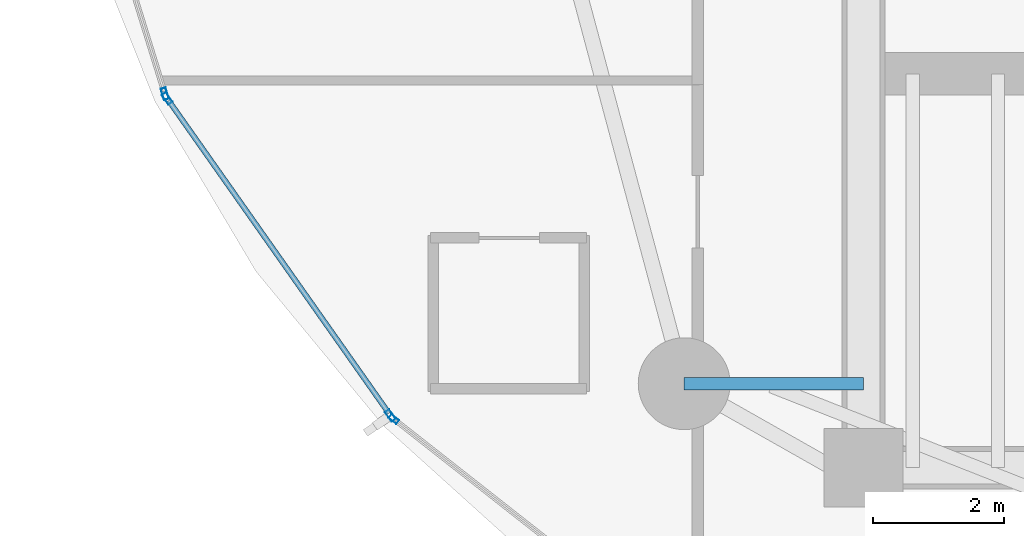
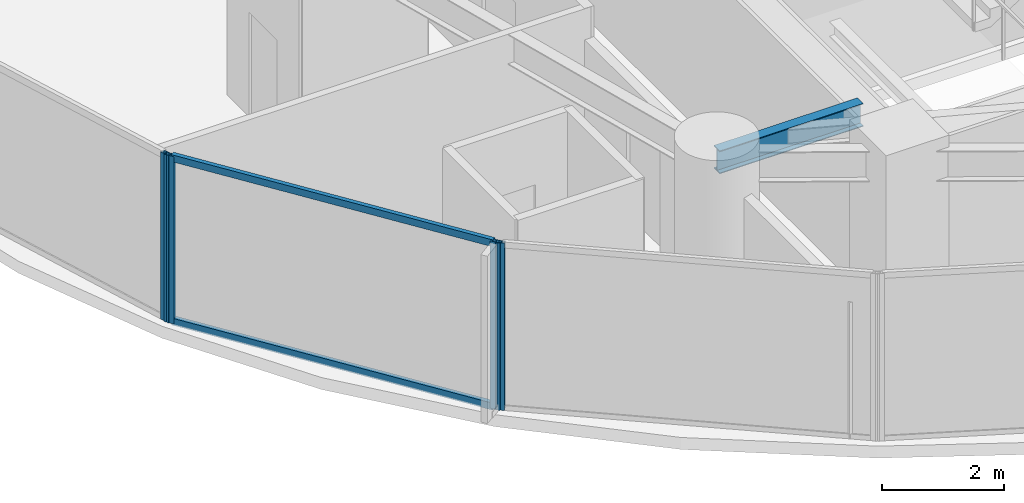
# One storey, part 3 of 34: 6 members, 1 beam, 3 elements without a shape of their own.
"""IFC4 building model written with IfcOpenShell, lengths in metres."""

from ifc_helpers import new_model, si_unit, direction, frame, origin, origin_2d, place, context, subcontext, project, spatial, hollow_rectangle, i_section, extrude, material, layer, layer_set, material_profile, profile_set, type_object, element, aggregate, save


model = new_model("IFC4")

# Units and contexts
model_context = context("Model", 3, precision=1e-05, world=origin(), true_north=direction((0.0, 1.0)))
body_context = subcontext(model_context, "Body", "Model", "MODEL_VIEW")
ifc_project = project(units=[si_unit("LENGTHUNIT", "METRE"), si_unit("AREAUNIT", "SQUARE_METRE"), si_unit("VOLUMEUNIT", "CUBIC_METRE"), si_unit("PLANEANGLEUNIT", "RADIAN"), si_unit("MASSUNIT", "GRAM", prefix="KILO")], contexts=[model_context])

# Site, building, storey
site_placement = place(None, origin())
site = spatial("IfcSite", under=ifc_project, at=site_placement, CompositionType="ELEMENT")
building_placement = place(site_placement, origin())
building = spatial("IfcBuilding", under=site, at=building_placement, Name="Kazevale Care Tower and Concert Hall", CompositionType="ELEMENT")
storey_placement = place(building_placement, frame((0.0, 0.0, 67.199951171875)))
storey = spatial("IfcBuildingStorey", under=building, at=storey_placement, Name="L17", CompositionType="ELEMENT", Elevation=67.199951171875)

# Curtain wall, members
ifc_material_1 = material(Name="Aluminium 6063-T6 and Low-E Glass", Category="aluminium")
ifc_layer_1 = layer(ifc_material_1, 0.179931640625)
ifc_layer_set_1 = layer_set([ifc_layer_1], Name="Aluminium 6063-T6 and Low-E Glass")
curtain_wall_type_1 = type_object("IfcCurtainWallType", Name="Waist & Upper Residential Curtain Wall CW-4", PredefinedType="NOTDEFINED", material=ifc_layer_set_1)
curtain_wall_1_placement = place(storey_placement, origin())
curtain_wall_1 = element("IfcCurtainWall", 1, at=curtain_wall_1_placement, inside=storey, type_object=curtain_wall_type_1, Name="cw:L17:f11", PredefinedType="NOTDEFINED")
ifc_material_2 = material(Name="Aluminium 6063-T6", Category="aluminium")
ifc_material_profile_1 = material_profile(ifc_material_2, hollow_rectangle(XDim=0.080078125, YDim=0.179931640625, WallThickness=0.0048828125, at=origin_2d()), Name="ALU80x180x5")
ifc_profile_set_1 = profile_set([ifc_material_profile_1], Name="Aluminium 6063-T6")
member_type_1 = type_object("IfcMemberType", Name="CW-4 Mullion ALU80x180x5", PredefinedType="MULLION", material=ifc_profile_set_1)
member_1_placement = place(storey_placement, frame((14.794921875, 24.396728515625, 0.0), z_axis=(0.0, 0.0, 1.0), x_axis=(-0.817564654583, -0.575836813322, 0.0)))
member_1 = element("IfcMember", 2, at=member_1_placement, type_object=member_type_1, Name="CW-4 mullion 1", PredefinedType="MULLION", context=body_context, shape_type="SweptSolid", body=[
    extrude(hollow_rectangle(XDim=0.080078125, YDim=0.179931640625, WallThickness=0.0048828125, at=origin_2d()), origin(), (0.0, 0.0, 1.0), 3.360107421875),
])
member_2_placement = place(storey_placement, frame((11.39404296875, 29.225341796875, 0.0), z_axis=(0.0, 0.0, 1.0), x_axis=(-0.817564654583, -0.575836813322, 0.0)))
member_2 = element("IfcMember", 3, at=member_2_placement, type_object=member_type_1, Name="CW-4 mullion 2", PredefinedType="MULLION", context=body_context, shape_type="SweptSolid", body=[
    extrude(hollow_rectangle(XDim=0.080078125, YDim=0.179931640625, WallThickness=0.0048828125, at=origin_2d()), origin(), (0.0, 0.0, 1.0), 3.360107421875),
])

# Curtain wall, member
curtain_wall_2_placement = place(storey_placement, origin())
curtain_wall_2 = element("IfcCurtainWall", 4, at=curtain_wall_2_placement, inside=storey, type_object=curtain_wall_type_1, Name="cw:L17:f12", PredefinedType="NOTDEFINED")
member_3_placement = place(storey_placement, frame((11.359130859375, 29.296142578125, 0.0), z_axis=(0.0, 0.0, 1.0), x_axis=(-0.955157326175, -0.296098771112, 0.0)))
member_3 = element("IfcMember", 5, at=member_3_placement, type_object=member_type_1, Name="CW-4 mullion 1", PredefinedType="MULLION", context=body_context, shape_type="SweptSolid", body=[
    extrude(hollow_rectangle(XDim=0.080078125, YDim=0.179931640625, WallThickness=0.0048828125, at=origin_2d()), origin(), (0.0, 0.0, 1.0), 3.360107421875),
])
aggregate(curtain_wall_2, [member_3])

# Member
ifc_material_profile_2 = material_profile(ifc_material_2, hollow_rectangle(XDim=0.080078125, YDim=0.139892578125, WallThickness=0.00390625, at=origin_2d()), Name="ALU80x140x4")
ifc_profile_set_2 = profile_set([ifc_material_profile_2], Name="Aluminium 6063-T6")
member_type_2 = type_object("IfcMemberType", Name="CW-4 Transom ALU80x140x4", PredefinedType="USERDEFINED", material=ifc_profile_set_2)
member_4_placement = place(storey_placement, frame((14.77197265625, 24.429443359375, 0.0400390625), z_axis=(-0.575850423039, 0.817555068657, 0.0), x_axis=(-0.817555068657, -0.575850423039, 0.0)))
member_4 = element("IfcMember", 6, at=member_4_placement, type_object=member_type_2, Name="CW-4 transom 1.1", ObjectType="TRANSOM", PredefinedType="USERDEFINED", context=body_context, shape_type="SweptSolid", body=[
    extrude(hollow_rectangle(XDim=0.080078125, YDim=0.139892578125, WallThickness=0.00390625, at=origin_2d()), origin(), (0.0, 0.0, 1.0), 5.826171875),
])

member_5_placement = place(storey_placement, frame((14.77197265625, 24.429443359375, 3.320068359375), z_axis=(-0.575850423039, 0.817555068657, 0.0), x_axis=(-0.817555068657, -0.575850423039, 0.0)))
member_5 = element("IfcMember", 7, at=member_5_placement, type_object=member_type_2, Name="CW-4 transom 1.2", ObjectType="TRANSOM", PredefinedType="USERDEFINED", context=body_context, shape_type="SweptSolid", body=[
    extrude(hollow_rectangle(XDim=0.080078125, YDim=0.139892578125, WallThickness=0.00390625, at=origin_2d()), origin(), (0.0, 0.0, 1.0), 5.826171875),
])

aggregate(curtain_wall_1, [member_1, member_2, member_4, member_5])

# Curtain wall, member
ifc_layer_2 = layer(ifc_material_1, 0.179931640625)
ifc_layer_set_2 = layer_set([ifc_layer_2], Name="Aluminium 6063-T6 and Low-E Glass")
curtain_wall_type_2 = type_object("IfcCurtainWallType", Name="Sheltered Concave Balcony Curtain Wall CW-5", PredefinedType="NOTDEFINED", material=ifc_layer_set_2)
curtain_wall_3_placement = place(storey_placement, origin())
curtain_wall_3 = element("IfcCurtainWall", 8, at=curtain_wall_3_placement, inside=storey, type_object=curtain_wall_type_2, Name="cw:L17:f10", PredefinedType="NOTDEFINED")
ifc_material_profile_3 = material_profile(ifc_material_2, hollow_rectangle(XDim=0.074951171875, YDim=0.14990234375, WallThickness=0.00390625, at=origin_2d()), Name="ALU75x150x4")
ifc_profile_set_3 = profile_set([ifc_material_profile_3], Name="Aluminium 6063-T6")
member_type_3 = type_object("IfcMemberType", Name="CW-5 Mullion ALU75x150x4", PredefinedType="MULLION", material=ifc_profile_set_3)
member_6_placement = place(storey_placement, frame((14.847412109375, 24.3408203125, 0.0), z_axis=(0.0, 0.0, 1.0), x_axis=(-0.617807548814, -0.78632934107, 0.0)))
member_6 = element("IfcMember", 9, at=member_6_placement, type_object=member_type_3, Name="CW-5 mullion 2", PredefinedType="MULLION", context=body_context, shape_type="SweptSolid", body=[
    extrude(hollow_rectangle(XDim=0.074951171875, YDim=0.14990234375, WallThickness=0.00390625, at=origin_2d()), origin(), (0.0, 0.0, 1.0), 3.360107421875),
])
aggregate(curtain_wall_3, [member_6])

# Beam
ifc_material_3 = material(Name="Steel ASTM A572 Gr 50", Category="steel")
ifc_material_profile_4 = material_profile(ifc_material_3, i_section(OverallWidth=0.19091796875, OverallDepth=0.4599609375, WebThickness=0.010009765625, FlangeThickness=0.01611328125, at=origin_2d()), Name="W460x82")
ifc_profile_set_4 = profile_set([ifc_material_profile_4], Name="Steel ASTM A572 Gr 50")
beam_type = type_object("IfcBeamType", Name="Radial Floor Beam W460x82", PredefinedType="BEAM", material=ifc_profile_set_4)
beam_placement = place(storey_placement, frame((22.0, 24.8798828125, 3.130126953125), z_axis=(-1.0, 0.0, 0.0), x_axis=(0.0, -1.0, 0.0)))
element("IfcBeam", 10, at=beam_placement, inside=storey, type_object=beam_type, Name="beam:L17:rad:10", PredefinedType="BEAM", context=body_context, shape_type="SweptSolid", body=[
    extrude(i_section(OverallWidth=0.19091796875, OverallDepth=0.4599609375, WebThickness=0.010009765625, FlangeThickness=0.01611328125, at=origin_2d()), origin(), (0.0, 0.0, 1.0), 2.72998046875),
])

save(model, "model.ifc")
